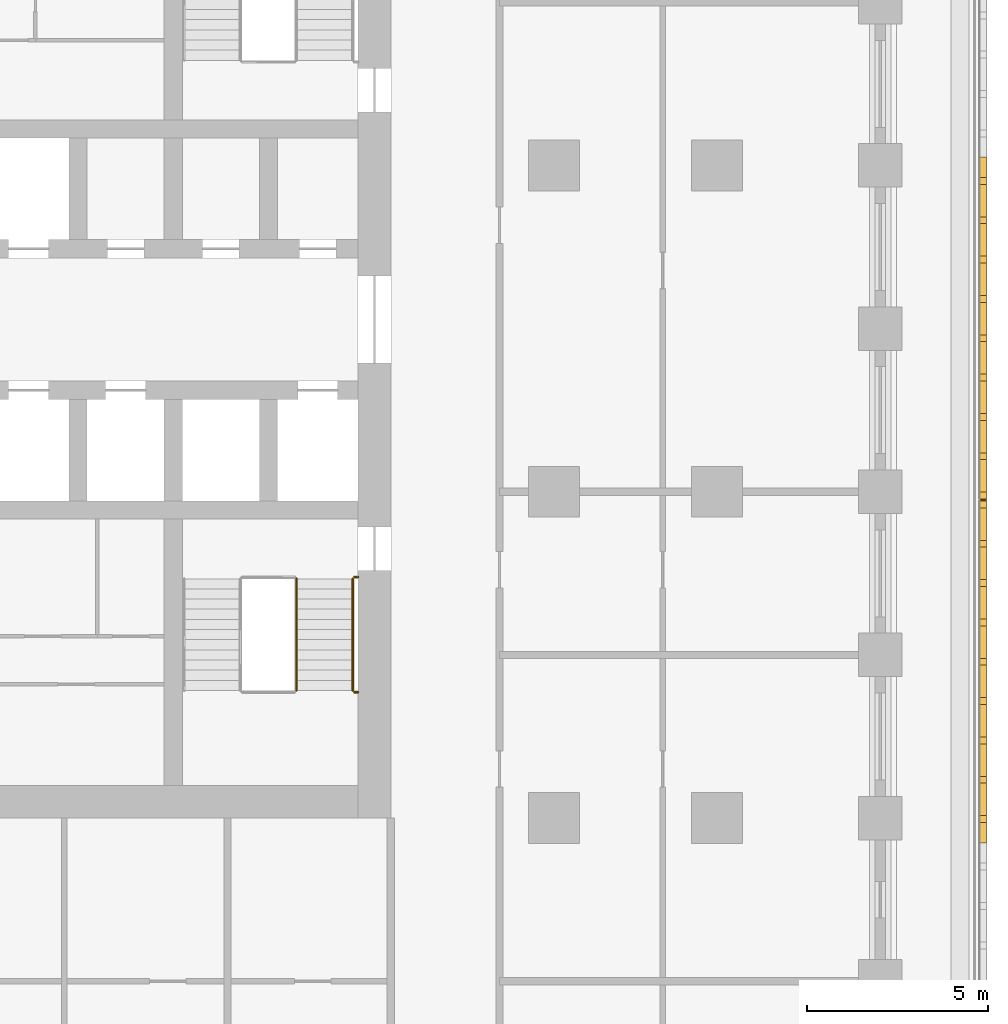
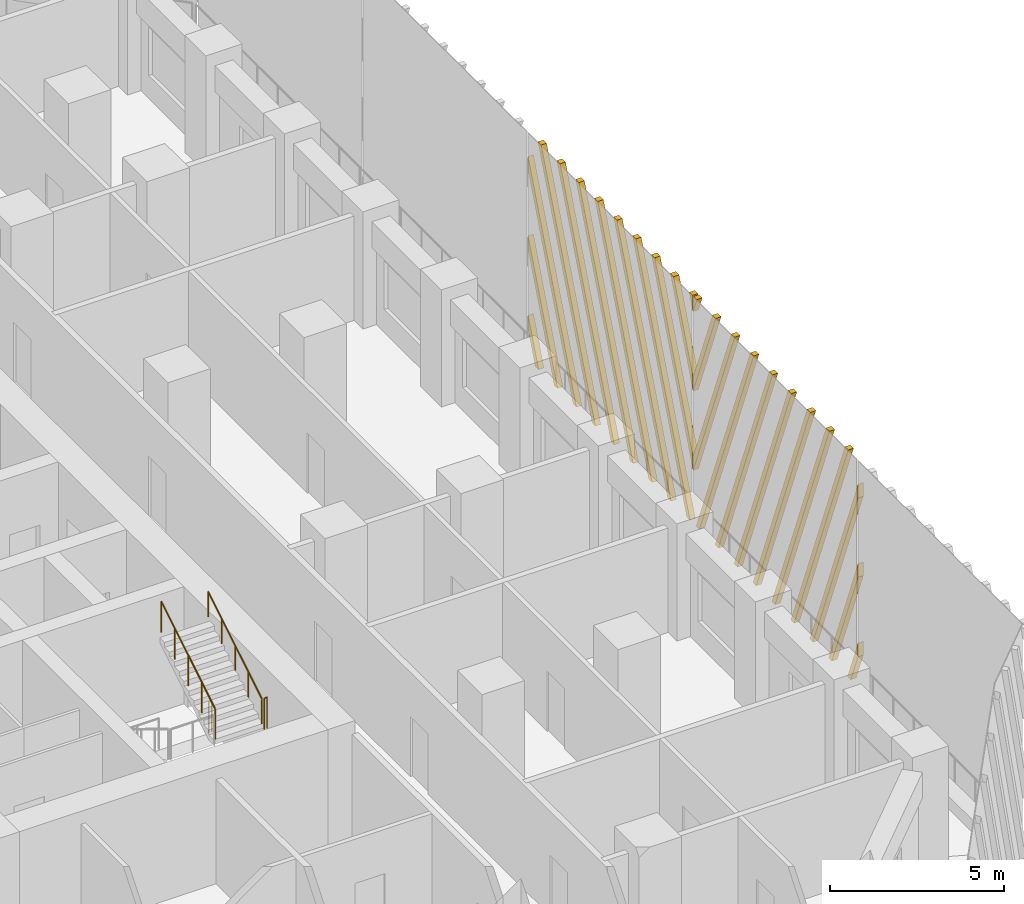
# One storey, part 14 of 20: 4 railings, 2 shading devices.
"""IFC4 building model written with IfcOpenShell, lengths in metres."""

from ifc_helpers import new_model, si_unit, direction, frame, origin, origin_2d, place, context, subcontext, project, spatial, polyline, circle, outline, extrude, source, transform, mapped, material, type_object, element, save


model = new_model("IFC4")

# Units and contexts
model_context = context("Model", 3, precision=1e-05, world=origin(), true_north=direction((0.0, 1.0)))
body_context = subcontext(model_context, "Body", "Model", "MODEL_VIEW")
ifc_project = project(units=[si_unit("LENGTHUNIT", "METRE"), si_unit("AREAUNIT", "SQUARE_METRE"), si_unit("VOLUMEUNIT", "CUBIC_METRE"), si_unit("PLANEANGLEUNIT", "RADIAN"), si_unit("MASSUNIT", "GRAM", prefix="KILO")], contexts=[model_context])

# Site, building, storey
site_placement = place(None, origin())
site = spatial("IfcSite", under=ifc_project, at=site_placement, CompositionType="ELEMENT")
building_placement = place(site_placement, origin())
building = spatial("IfcBuilding", under=site, at=building_placement, Name="Corbel Stack Research Tower", CompositionType="ELEMENT")
storey_placement = place(building_placement, frame((0.0, 0.0, 98.39990234375)))
storey = spatial("IfcBuildingStorey", under=building, at=storey_placement, Name="L22", CompositionType="ELEMENT", Elevation=98.39990234375)

# Railings
ifc_material_1 = material(Name="Steel S355", Category="steel")
railing_type_1 = type_object("IfcRailingType", Name="Stair guard 1100", PredefinedType="GUARDRAIL", material=ifc_material_1)
railing_1_placement = place(storey_placement, frame((17.0, -5.530029296875, 2.050048828125)))
element("IfcRailing", 1, at=railing_1_placement, inside=storey, type_object=railing_type_1, Name="L22 ST-E1 stair guard 3", PredefinedType="GUARDRAIL", context=body_context, shape_type="SweptSolid", body=[
    extrude(circle(Radius=0.02392578125, at=origin_2d()), frame((0.0, 0.0, 1.076171875), z_axis=(1.0, 0.0, 0.0), x_axis=(0.0, 1.0, 0.0)), (0.0, 0.0, 1.0), 0.10009765625),
    extrude(circle(Radius=0.02099609375, at=origin_2d()), origin(), (0.0, 0.0, 1.0), 1.052001953125),
    extrude(circle(Radius=0.02099609375, at=origin_2d()), frame((0.10009765625, 0.0, 0.0)), (0.0, 0.0, 1.0), 1.052001953125),
])
railing_2_placement = place(storey_placement, frame((15.39990234375, -5.47998046875, 2.220947265625)))
element("IfcRailing", 2, at=railing_2_placement, inside=storey, type_object=railing_type_1, Name="L22 ST-E1 stair guard 4", PredefinedType="GUARDRAIL", context=body_context, shape_type="SweptSolid", body=[
    extrude(circle(Radius=0.02392578125, at=origin_2d()), frame((0.0, 0.0, 1.076171875), z_axis=(0.0, 0.853666305674, 0.52082035152), x_axis=(-1.0, 0.0, 0.0)), (0.0, 0.0, 1.0), 3.608154296875),
    extrude(circle(Radius=0.02099609375, at=origin_2d()), origin(), (0.0, 0.0, 1.0), 1.052001953125),
    extrude(circle(Radius=0.02099609375, at=origin_2d()), frame((0.0, 0.77001953125, 0.4697265625)), (0.0, 0.0, 1.0), 1.052001953125),
    extrude(circle(Radius=0.02099609375, at=origin_2d()), frame((0.0, 1.5400390625, 0.939453125)), (0.0, 0.0, 1.0), 1.052001953125),
    extrude(circle(Radius=0.02099609375, at=origin_2d()), frame((0.0, 2.31005859375, 1.409423828125)), (0.0, 0.0, 1.0), 1.052001953125),
    extrude(circle(Radius=0.02099609375, at=origin_2d()), frame((0.0, 3.080078125, 1.879150390625)), (0.0, 0.0, 1.0), 1.052001953125),
])
railing_3_placement = place(storey_placement, frame((17.0, -2.35009765625, 0.0)))
element("IfcRailing", 3, at=railing_3_placement, inside=storey, type_object=railing_type_1, Name="L22 ST-E1 stair guard 6", PredefinedType="GUARDRAIL", context=body_context, shape_type="SweptSolid", body=[
    extrude(circle(Radius=0.02392578125, at=origin_2d()), frame((0.0, 0.0, 1.076171875), z_axis=(1.0, 0.0, 0.0), x_axis=(0.0, 1.0, 0.0)), (0.0, 0.0, 1.0), 0.10009765625),
    extrude(circle(Radius=0.02099609375, at=origin_2d()), origin(), (0.0, 0.0, 1.0), 1.052001953125),
    extrude(circle(Radius=0.02099609375, at=origin_2d()), frame((0.10009765625, 0.0, 0.0)), (0.0, 0.0, 1.0), 1.052001953125),
])
ifc_material_2 = material(Name="Steel S355", Category="steel")
railing_type_2 = type_object("IfcRailingType", Name="Stair handrail 900", PredefinedType="HANDRAIL", material=ifc_material_2)
railing_4_placement = place(storey_placement, frame((16.949951171875, -5.47998046875, 2.220947265625)))
element("IfcRailing", 4, at=railing_4_placement, inside=storey, type_object=railing_type_2, Name="L22 ST-E1 stair handrail 2", PredefinedType="HANDRAIL", context=body_context, shape_type="SweptSolid", body=[
    extrude(circle(Radius=0.02392578125, at=origin_2d()), frame((0.0, 0.0, 0.8759765625), z_axis=(0.0, 0.853666305674, 0.52082035152), x_axis=(-1.0, 0.0, 0.0)), (0.0, 0.0, 1.0), 3.608154296875),
    extrude(circle(Radius=0.02099609375, at=origin_2d()), origin(), (0.0, 0.0, 1.0), 0.851806640625),
    extrude(circle(Radius=0.02099609375, at=origin_2d()), frame((0.0, 0.77001953125, 0.4697265625)), (0.0, 0.0, 1.0), 0.851806640625),
    extrude(circle(Radius=0.02099609375, at=origin_2d()), frame((0.0, 1.5400390625, 0.939453125)), (0.0, 0.0, 1.0), 0.851806640625),
    extrude(circle(Radius=0.02099609375, at=origin_2d()), frame((0.0, 2.31005859375, 1.409423828125)), (0.0, 0.0, 1.0), 0.851806640625),
    extrude(circle(Radius=0.02099609375, at=origin_2d()), frame((0.0, 3.080078125, 1.879150390625)), (0.0, 0.0, 1.0), 0.851806640625),
])

# Shading devices
ifc_material_3 = material(Name="Precast terracotta", Category="masonry")
shading_device_type = type_object("IfcShadingDeviceType", Name="Terracotta screen panel", PredefinedType="USERDEFINED", material=ifc_material_3)
shared_shape_1 = source(origin(), body_context, "Body", "SweptSolid", [
    extrude(outline(polyline([(0.217041015625, 7.949951171875), (0.027099609375, 7.949951171875), (0.0, 7.880859375), (0.0, 7.394287109375), (0.217041015625, 7.949951171875)])), frame((0.0, 0.0, 0.0), z_axis=(0.0, -1.0, 0.0), x_axis=(1.0, 0.0, 0.0)), (0.0, 0.0, 1.0), 0.179931640625),
    extrude(outline(polyline([(1.3017578125, 7.949951171875), (1.11181640625, 7.949951171875), (0.0, 5.103515625), (0.0, 4.616943359375), (1.3017578125, 7.949951171875)])), frame((0.0, 0.0, 0.0), z_axis=(0.0, -1.0, 0.0), x_axis=(1.0, 0.0, 0.0)), (0.0, 0.0, 1.0), 0.179931640625),
    extrude(outline(polyline([(2.386474609375, 7.949951171875), (2.1962890625, 7.949951171875), (0.0, 2.326171875), (0.0, 1.839599609375), (2.386474609375, 7.949951171875)])), frame((0.0, 0.0, 0.0), z_axis=(0.0, -1.0, 0.0), x_axis=(1.0, 0.0, 0.0)), (0.0, 0.0, 1.0), 0.179931640625),
    extrude(outline(polyline([(0.3662109375, 0.0), (3.470947265625, 7.949951171875), (3.281005859375, 7.949951171875), (0.17626953125, 0.0), (0.3662109375, 0.0)])), frame((0.0, 0.0, 0.0), z_axis=(0.0, -1.0, 0.0), x_axis=(1.0, 0.0, 0.0)), (0.0, 0.0, 1.0), 0.179931640625),
    extrude(outline(polyline([(1.45068359375, 0.0), (4.5556640625, 7.949951171875), (4.36572265625, 7.949951171875), (1.2607421875, 0.0), (1.45068359375, 0.0)])), frame((0.0, 0.0, 0.0), z_axis=(0.0, -1.0, 0.0), x_axis=(1.0, 0.0, 0.0)), (0.0, 0.0, 1.0), 0.179931640625),
    extrude(outline(polyline([(2.535400390625, 0.0), (5.640380859375, 7.949951171875), (5.4501953125, 7.949951171875), (2.345458984375, 0.0), (2.535400390625, 0.0)])), frame((0.0, 0.0, 0.0), z_axis=(0.0, -1.0, 0.0), x_axis=(1.0, 0.0, 0.0)), (0.0, 0.0, 1.0), 0.179931640625),
    extrude(outline(polyline([(3.6201171875, 0.0), (6.72509765625, 7.949951171875), (6.534912109375, 7.949951171875), (3.43017578125, 0.0), (3.6201171875, 0.0)])), frame((0.0, 0.0, 0.0), z_axis=(0.0, -1.0, 0.0), x_axis=(1.0, 0.0, 0.0)), (0.0, 0.0, 1.0), 0.179931640625),
    extrude(outline(polyline([(4.704833984375, 0.0), (7.809814453125, 7.949951171875), (7.61962890625, 7.949951171875), (4.514892578125, 0.0), (4.704833984375, 0.0)])), frame((0.0, 0.0, 0.0), z_axis=(0.0, -1.0, 0.0), x_axis=(1.0, 0.0, 0.0)), (0.0, 0.0, 1.0), 0.179931640625),
    extrude(outline(polyline([(5.78955078125, 0.0), (8.894287109375, 7.949951171875), (8.704345703125, 7.949951171875), (5.599609375, 0.0), (5.78955078125, 0.0)])), frame((0.0, 0.0, 0.0), z_axis=(0.0, -1.0, 0.0), x_axis=(1.0, 0.0, 0.0)), (0.0, 0.0, 1.0), 0.179931640625),
    extrude(outline(polyline([(6.874267578125, 0.0), (9.45556640625, 6.60986328125), (9.45556640625, 7.096435546875), (6.68408203125, 0.0), (6.874267578125, 0.0)])), frame((0.0, 0.0, 0.0), z_axis=(0.0, -1.0, 0.0), x_axis=(1.0, 0.0, 0.0)), (0.0, 0.0, 1.0), 0.179931640625),
    extrude(outline(polyline([(7.958740234375, 0.0), (9.45556640625, 3.83251953125), (9.45556640625, 4.319091796875), (7.768798828125, 0.0), (7.958740234375, 0.0)])), frame((0.0, 0.0, 0.0), z_axis=(0.0, -1.0, 0.0), x_axis=(1.0, 0.0, 0.0)), (0.0, 0.0, 1.0), 0.179931640625),
    extrude(outline(polyline([(9.04345703125, 0.0), (9.45556640625, 1.055419921875), (9.45556640625, 1.541748046875), (8.853515625, 0.0), (9.04345703125, 0.0)])), frame((0.0, 0.0, 0.0), z_axis=(0.0, -1.0, 0.0), x_axis=(1.0, 0.0, 0.0)), (0.0, 0.0, 1.0), 0.179931640625),
])
shading_device_1_placement = place(storey_placement, frame((34.25, -0.227783203125, 0.0), z_axis=(0.0, 0.0, 1.0), x_axis=(0.0, 1.0, 0.0)))
element("IfcShadingDevice", 5, at=shading_device_1_placement, inside=storey, type_object=shading_device_type, Name="Terracotta screen L22 E3", ObjectType="SCREEN", PredefinedType="USERDEFINED", context=body_context, shape_type="MappedRepresentation", body=[
    mapped(shared_shape_1, transform((0.0, 0.0, 0.0))),
])
shared_shape_2 = source(origin(), body_context, "Body", "SweptSolid", [
    extrude(outline(polyline([(0.60205078125, 0.0), (0.0, 1.541748046875), (0.0, 1.055419921875), (0.412109375, 0.0), (0.60205078125, 0.0)])), frame((0.0, 0.0, 0.0), z_axis=(0.0, -1.0, 0.0), x_axis=(1.0, 0.0, 0.0)), (0.0, 0.0, 1.0), 0.179931640625),
    extrude(outline(polyline([(1.686767578125, 0.0), (0.0, 4.319091796875), (0.0, 3.83251953125), (1.496826171875, 0.0), (1.686767578125, 0.0)])), frame((0.0, 0.0, 0.0), z_axis=(0.0, -1.0, 0.0), x_axis=(1.0, 0.0, 0.0)), (0.0, 0.0, 1.0), 0.179931640625),
    extrude(outline(polyline([(2.771484375, 0.0), (0.0, 7.096435546875), (0.0, 6.60986328125), (2.58154296875, 0.0), (2.771484375, 0.0)])), frame((0.0, 0.0, 0.0), z_axis=(0.0, -1.0, 0.0), x_axis=(1.0, 0.0, 0.0)), (0.0, 0.0, 1.0), 0.179931640625),
    extrude(outline(polyline([(3.856201171875, 0.0), (0.751220703125, 7.949951171875), (0.561279296875, 7.949951171875), (3.666015625, 0.0), (3.856201171875, 0.0)])), frame((0.0, 0.0, 0.0), z_axis=(0.0, -1.0, 0.0), x_axis=(1.0, 0.0, 0.0)), (0.0, 0.0, 1.0), 0.179931640625),
    extrude(outline(polyline([(4.94091796875, 0.0), (1.8359375, 7.949951171875), (1.64599609375, 7.949951171875), (4.750732421875, 0.0), (4.94091796875, 0.0)])), frame((0.0, 0.0, 0.0), z_axis=(0.0, -1.0, 0.0), x_axis=(1.0, 0.0, 0.0)), (0.0, 0.0, 1.0), 0.179931640625),
    extrude(outline(polyline([(6.025390625, 0.0), (2.920654296875, 7.949951171875), (2.730712890625, 7.949951171875), (5.83544921875, 0.0), (6.025390625, 0.0)])), frame((0.0, 0.0, 0.0), z_axis=(0.0, -1.0, 0.0), x_axis=(1.0, 0.0, 0.0)), (0.0, 0.0, 1.0), 0.179931640625),
    extrude(outline(polyline([(7.110107421875, 0.0), (4.00537109375, 7.949951171875), (3.815185546875, 7.949951171875), (6.920166015625, 0.0), (7.110107421875, 0.0)])), frame((0.0, 0.0, 0.0), z_axis=(0.0, -1.0, 0.0), x_axis=(1.0, 0.0, 0.0)), (0.0, 0.0, 1.0), 0.179931640625),
    extrude(outline(polyline([(8.19482421875, 0.0), (5.090087890625, 7.949951171875), (4.89990234375, 7.949951171875), (8.0048828125, 0.0), (8.19482421875, 0.0)])), frame((0.0, 0.0, 0.0), z_axis=(0.0, -1.0, 0.0), x_axis=(1.0, 0.0, 0.0)), (0.0, 0.0, 1.0), 0.179931640625),
    extrude(outline(polyline([(9.279541015625, 0.0), (6.174560546875, 7.949951171875), (5.984619140625, 7.949951171875), (9.089599609375, 0.0), (9.279541015625, 0.0)])), frame((0.0, 0.0, 0.0), z_axis=(0.0, -1.0, 0.0), x_axis=(1.0, 0.0, 0.0)), (0.0, 0.0, 1.0), 0.179931640625),
    extrude(outline(polyline([(7.25927734375, 7.949951171875), (7.0693359375, 7.949951171875), (9.45556640625, 1.839599609375), (9.45556640625, 2.326171875), (7.25927734375, 7.949951171875)])), frame((0.0, 0.0, 0.0), z_axis=(0.0, -1.0, 0.0), x_axis=(1.0, 0.0, 0.0)), (0.0, 0.0, 1.0), 0.179931640625),
    extrude(outline(polyline([(8.343994140625, 7.949951171875), (8.15380859375, 7.949951171875), (9.45556640625, 4.616943359375), (9.45556640625, 5.103515625), (8.343994140625, 7.949951171875)])), frame((0.0, 0.0, 0.0), z_axis=(0.0, -1.0, 0.0), x_axis=(1.0, 0.0, 0.0)), (0.0, 0.0, 1.0), 0.179931640625),
    extrude(outline(polyline([(9.4287109375, 7.949951171875), (9.238525390625, 7.949951171875), (9.45556640625, 7.394287109375), (9.45556640625, 7.880859375), (9.4287109375, 7.949951171875)])), frame((0.0, 0.0, 0.0), z_axis=(0.0, -1.0, 0.0), x_axis=(1.0, 0.0, 0.0)), (0.0, 0.0, 1.0), 0.179931640625),
])
shading_device_2_placement = place(storey_placement, frame((34.25, -9.68359375, 0.0), z_axis=(0.0, 0.0, 1.0), x_axis=(0.0, 1.0, 0.0)))
element("IfcShadingDevice", 6, at=shading_device_2_placement, inside=storey, type_object=shading_device_type, Name="Terracotta screen L22 E2", ObjectType="SCREEN", PredefinedType="USERDEFINED", context=body_context, shape_type="MappedRepresentation", body=[
    mapped(shared_shape_2, transform((0.0, 0.0, 0.0))),
])

save(model, "model.ifc")
